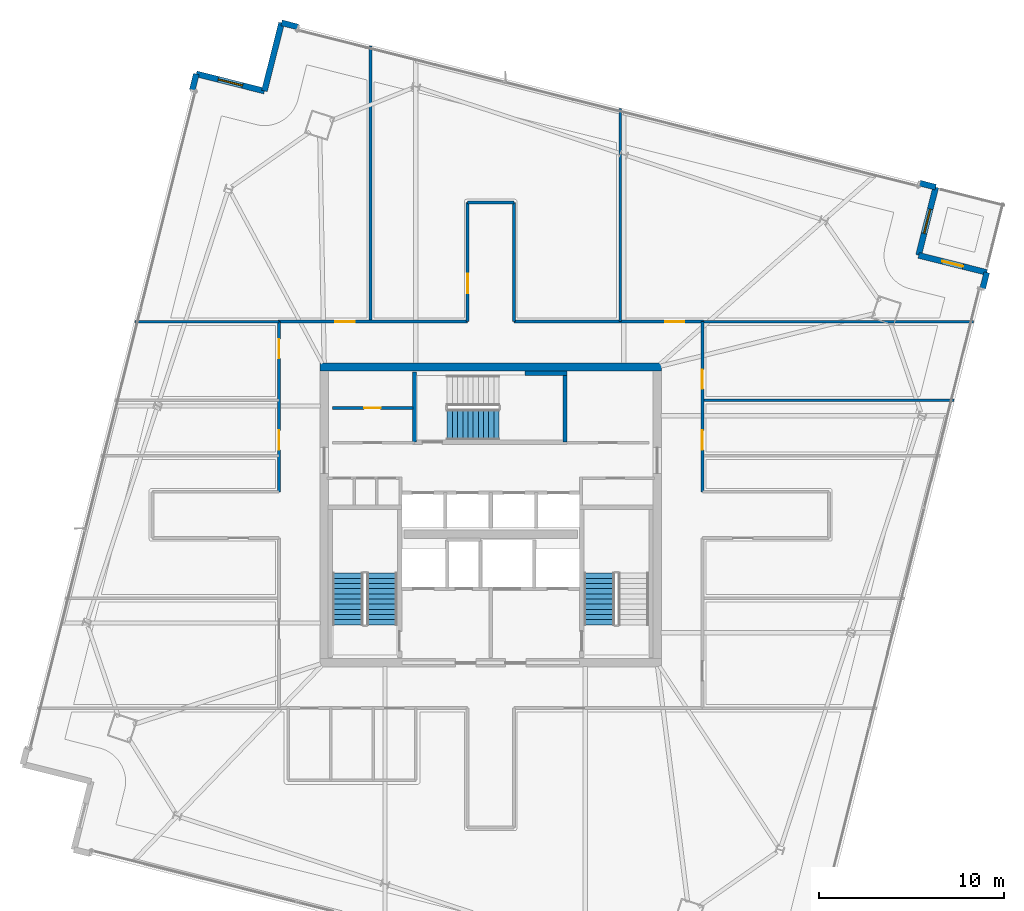
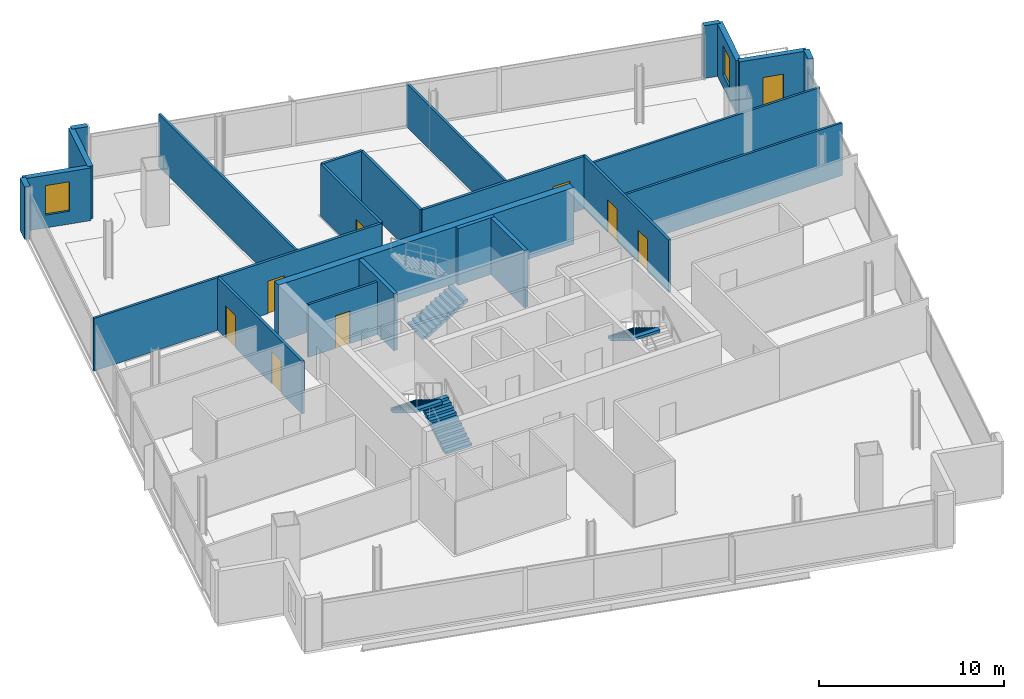
# One storey, part 22 of 28: 25 walls, 9 doors, 4 stair flights, 2 windows, 11 openings, 3 elements without a shape of their own.
"""IFC4 building model written with IfcOpenShell, lengths in metres."""

from ifc_helpers import new_model, si_unit, direction, frame, frame_2d, origin, place, context, subcontext, project, spatial, polyline, rectangle, outline, extrude, material, layer, layer_set, type_object, element, fill, aggregate, save


model = new_model("IFC4")

# Units and contexts
model_context = context("Model", 3, precision=1e-05, world=origin(), true_north=direction((0.0, 1.0)))
body_context = subcontext(model_context, "Body", "Model", "MODEL_VIEW")
ifc_project = project(units=[si_unit("LENGTHUNIT", "METRE"), si_unit("AREAUNIT", "SQUARE_METRE"), si_unit("VOLUMEUNIT", "CUBIC_METRE"), si_unit("PLANEANGLEUNIT", "RADIAN"), si_unit("MASSUNIT", "GRAM", prefix="KILO")], contexts=[model_context])

# Site, building, storey
site_placement = place(None, origin())
site = spatial("IfcSite", under=ifc_project, at=site_placement, CompositionType="ELEMENT")
building_placement = place(site_placement, origin())
building = spatial("IfcBuilding", under=site, at=building_placement, Name="Haldenkirk Collegiate Tower", CompositionType="ELEMENT")
storey_placement = place(building_placement, frame((0.0, 0.0, 282.449951171875)))
storey = spatial("IfcBuildingStorey", under=building, at=storey_placement, Name="L71", CompositionType="ELEMENT", Elevation=282.449951171875)

# Walls
ifc_material_1 = material(Name="Concrete f'c 55 MPa", Category="concrete")
ifc_layer_1 = layer(ifc_material_1, 0.449951171875)
ifc_layer_set_1 = layer_set([ifc_layer_1], Name="Concrete f'c 55 MPa")
wall_type_1 = type_object("IfcWallType", Name="WL-CORE-450", PredefinedType="SHEAR", material=ifc_layer_set_1)
wall_1_placement = place(storey_placement, frame((26.77490234375, 34.0, 0.0), z_axis=(0.0, 0.0, 1.0), x_axis=(1.0, 0.0, 0.0)))
element("IfcWall", 1, at=wall_1_placement, inside=storey, type_object=wall_type_1, Name="L71 central core shear wall N", PredefinedType="SHEAR", context=body_context, shape_type="SweptSolid", body=[
    extrude(rectangle(XDim=18.4501953125, YDim=0.449951171875, at=frame_2d((9.22509765625, 0.0))), origin(), (0.0, 0.0, 1.0), 3.75),
])
ifc_material_2 = material(Name="Precast concrete f'c 40 MPa", Category="concrete")
ifc_layer_2 = layer(ifc_material_2, 0.320068359375)
ifc_layer_set_2 = layer_set([ifc_layer_2], Name="Precast concrete f'c 40 MPa")
wall_type_2 = type_object("IfcWallType", Name="WL-EXT-TWR-320", PredefinedType="STANDARD", material=ifc_layer_set_2)
wall_2_placement = place(storey_placement, frame((62.826904296875, 39.109619140625, 0.0), z_axis=(0.0, 0.0, 1.0), x_axis=(-0.243556558418, -0.969886695883, 0.0)))
element("IfcWall", 2, at=wall_2_placement, inside=storey, type_object=wall_type_2, Name="L71 precast corner pier SL", PredefinedType="STANDARD", context=body_context, shape_type="SweptSolid", body=[
    extrude(rectangle(XDim=0.900146484375, YDim=0.320068359375, at=frame_2d((0.4501953125, 0.0))), origin(), (0.0, 0.0, 1.0), 3.47998046875),
])

# Wall, opening, door
wall_3_placement = place(storey_placement, frame((59.141357421875, 40.035400390625, 0.0), z_axis=(0.0, 0.0, 1.0), x_axis=(0.96986978547, -0.243623888878, 0.0)))
wall_3 = element("IfcWall", 3, at=wall_3_placement, inside=storey, type_object=wall_type_2, Name="L71 bronze precast notch wall 02", PredefinedType="STANDARD", context=body_context, shape_type="SweptSolid", body=[
    extrude(rectangle(XDim=3.800048828125, YDim=0.320068359375, at=frame_2d((1.89990234375, 0.0))), origin(), (0.0, 0.0, 1.0), 3.47998046875),
])
opening_1_placement = place(wall_3_placement, frame((1.324951171875, 0.0, 0.0)))
opening_1 = element("IfcOpeningElement", 4, at=opening_1_placement, cuts=wall_3, Name="Opening D-ST11", PredefinedType="OPENING", context=body_context, shape_type="SweptSolid", body=[
    extrude(rectangle(XDim=1.14990234375, YDim=2.199951171875, at=frame_2d((0.574951171875, 1.10009765625))), frame((0.0, 0.169921875, 0.0), z_axis=(0.0, -1.0, 0.0), x_axis=(1.0, 0.0, 0.0)), (0.0, 0.0, 1.0), 0.340087890625),
])
ifc_material_3 = material(Name="Anodised architectural bronze aluminium", Category="aluminium")
ifc_layer_3 = layer(ifc_material_3, 0.080078125)
ifc_layer_set_3 = layer_set([ifc_layer_3], Name="Anodised architectural bronze aluminium")
door_type_1 = type_object("IfcDoorType", Name="DR-EXT-STER-1150", OperationType="NOTDEFINED", PredefinedType="DOOR", material=ifc_layer_set_3)
door_1_placement = place(opening_1_placement, origin())
door_1 = element("IfcDoor", 5, at=door_1_placement, inside=storey, type_object=door_type_1, Name="L71 spiralling terrace door", OperationType="SINGLE_SWING_RIGHT", OverallHeight=2.199951171875, OverallWidth=1.14990234375, PredefinedType="DOOR", context=body_context, shape_type="SweptSolid", body=[
    extrude(rectangle(XDim=1.14990234375, YDim=2.199951171875, at=frame_2d((0.574951171875, 1.10009765625))), frame((0.0, 0.02490234375, 0.0), z_axis=(0.0, -1.0, 0.0), x_axis=(1.0, 0.0, 0.0)), (0.0, 0.0, 1.0), 0.050048828125),
])
fill(opening_1, door_1)

# Wall, opening, window
wall_4_placement = place(storey_placement, frame((60.067138671875, 43.720703125, 0.0), z_axis=(0.0, 0.0, 1.0), x_axis=(-0.243639070251, -0.969865971899, 0.0)))
wall_4 = element("IfcWall", 6, at=wall_4_placement, inside=storey, type_object=wall_type_2, Name="L71 bronze precast notch wall 03", PredefinedType="STANDARD", context=body_context, shape_type="SweptSolid", body=[
    extrude(rectangle(XDim=3.7998046875, YDim=0.320068359375, at=frame_2d((1.89990234375, 0.0))), origin(), (0.0, 0.0, 1.0), 3.47998046875),
])
opening_2_placement = place(wall_4_placement, frame((1.22509765625, 0.0, 0.85009765625)))
opening_2 = element("IfcOpeningElement", 7, at=opening_2_placement, cuts=wall_4, Name="Opening W-07", PredefinedType="OPENING", context=body_context, shape_type="SweptSolid", body=[
    extrude(rectangle(XDim=1.35009765625, YDim=1.949951171875, at=frame_2d((0.675048828125, 0.97509765625))), frame((0.0, 0.169921875, 0.0), z_axis=(0.0, -1.0, 0.0), x_axis=(1.0, 0.0, 0.0)), (0.0, 0.0, 1.0), 0.340087890625),
])
ifc_material_4 = material(Name="Low-E argon triple insulating glass", Category="glass")
ifc_layer_4 = layer(ifc_material_4, 0.090087890625)
ifc_layer_set_4 = layer_set([ifc_layer_4], Name="Low-E argon triple insulating glass")
window_type = type_object("IfcWindowType", Name="WN-Z5-1350X1950", PartitioningType="SINGLE_PANEL", PredefinedType="WINDOW", material=ifc_layer_set_4)
window_1_placement = place(opening_2_placement, origin())
window_1 = element("IfcWindow", 8, at=window_1_placement, inside=storey, type_object=window_type, Name="L71 precast-frame academic window 2", OverallHeight=1.949951171875, OverallWidth=1.35009765625, PartitioningType="SINGLE_PANEL", PredefinedType="WINDOW", context=body_context, shape_type="SweptSolid", body=[
    extrude(rectangle(XDim=1.35009765625, YDim=1.949951171875, at=frame_2d((0.675048828125, 0.97509765625))), frame((0.0, 0.030029296875, 0.0), z_axis=(0.0, -1.0, 0.0), x_axis=(1.0, 0.0, 0.0)), (0.0, 0.0, 1.0), 0.06005859375),
])
fill(opening_2, window_1)

# Walls
wall_5_placement = place(storey_placement, frame((24.691162109375, 52.606689453125, 0.0), z_axis=(0.0, 0.0, 1.0), x_axis=(0.9698064703, -0.243875808895, 0.0)))
element("IfcWall", 9, at=wall_5_placement, inside=storey, type_object=wall_type_2, Name="L71 precast corner pier EL", PredefinedType="STANDARD", context=body_context, shape_type="SweptSolid", body=[
    extrude(rectangle(XDim=0.89990234375, YDim=0.320068359375, at=frame_2d((0.449951171875, 0.0))), origin(), (0.0, 0.0, 1.0), 3.47998046875),
])
wall_6_placement = place(storey_placement, frame((59.194091796875, 43.940185546875, 0.0), z_axis=(0.0, 0.0, 1.0), x_axis=(0.9698225981, -0.243811665462, 0.0)))
element("IfcWall", 10, at=wall_6_placement, inside=storey, type_object=wall_type_2, Name="L71 precast corner pier ER", PredefinedType="STANDARD", context=body_context, shape_type="SweptSolid", body=[
    extrude(rectangle(XDim=0.900146484375, YDim=0.320068359375, at=frame_2d((0.4501953125, 0.0))), origin(), (0.0, 0.0, 1.0), 3.47998046875),
])
wall_7_placement = place(storey_placement, frame((23.765380859375, 48.921142578125, 0.0), z_axis=(0.0, 0.0, 1.0), x_axis=(0.243623888878, 0.96986978547, 0.0)))
element("IfcWall", 11, at=wall_7_placement, inside=storey, type_object=wall_type_2, Name="L71 bronze precast notch wall 05", PredefinedType="STANDARD", context=body_context, shape_type="SweptSolid", body=[
    extrude(rectangle(XDim=3.800048828125, YDim=0.320068359375, at=frame_2d((1.89990234375, 0.0))), origin(), (0.0, 0.0, 1.0), 3.47998046875),
])

# Wall, opening, window
wall_8_placement = place(storey_placement, frame((20.079833984375, 49.846923828125, 0.0), z_axis=(0.0, 0.0, 1.0), x_axis=(0.96986978547, -0.243623888878, 0.0)))
wall_8 = element("IfcWall", 12, at=wall_8_placement, inside=storey, type_object=wall_type_2, Name="L71 bronze precast notch wall 06", PredefinedType="STANDARD", context=body_context, shape_type="SweptSolid", body=[
    extrude(rectangle(XDim=3.800048828125, YDim=0.320068359375, at=frame_2d((1.89990234375, 0.0))), origin(), (0.0, 0.0, 1.0), 3.47998046875),
])
opening_3_placement = place(wall_8_placement, frame((1.22509765625, 0.0, 0.85009765625)))
opening_3 = element("IfcOpeningElement", 13, at=opening_3_placement, cuts=wall_8, Name="Opening W-07", PredefinedType="OPENING", context=body_context, shape_type="SweptSolid", body=[
    extrude(rectangle(XDim=1.35009765625, YDim=1.949951171875, at=frame_2d((0.675048828125, 0.97509765625))), frame((0.0, 0.169921875, 0.0), z_axis=(0.0, -1.0, 0.0), x_axis=(1.0, 0.0, 0.0)), (0.0, 0.0, 1.0), 0.340087890625),
])
window_2_placement = place(opening_3_placement, origin())
window_2 = element("IfcWindow", 14, at=window_2_placement, inside=storey, type_object=window_type, Name="L71 precast-frame academic window 5", OverallHeight=1.949951171875, OverallWidth=1.35009765625, PartitioningType="SINGLE_PANEL", PredefinedType="WINDOW", context=body_context, shape_type="SweptSolid", body=[
    extrude(rectangle(XDim=1.35009765625, YDim=1.949951171875, at=frame_2d((0.675048828125, 0.97509765625))), frame((0.0, 0.030029296875, 0.0), z_axis=(0.0, -1.0, 0.0), x_axis=(1.0, 0.0, 0.0)), (0.0, 0.0, 1.0), 0.06005859375),
])
fill(opening_3, window_2)

# Wall
wall_9_placement = place(storey_placement, frame((19.860595703125, 48.97412109375, 0.0), z_axis=(0.0, 0.0, 1.0), x_axis=(0.24362064321, 0.969870600751, 0.0)))
element("IfcWall", 15, at=wall_9_placement, inside=storey, type_object=wall_type_2, Name="L71 precast corner pier NR", PredefinedType="STANDARD", context=body_context, shape_type="SweptSolid", body=[
    extrude(rectangle(XDim=0.89990234375, YDim=0.320068359375, at=frame_2d((0.449951171875, 0.0))), origin(), (0.0, 0.0, 1.0), 3.47998046875),
])

# Wall, opening, door
ifc_material_5 = material(Name="Acoustic fire-rated gypsum partition", Category="concrete")
ifc_layer_5 = layer(ifc_material_5, 0.159912109375)
ifc_layer_set_5 = layer_set([ifc_layer_5], Name="Acoustic fire-rated gypsum partition")
wall_type_3 = type_object("IfcWallType", Name="WL-INT-CORR-160", PredefinedType="PARTITIONING", material=ifc_layer_set_5)
wall_10_placement = place(storey_placement, frame((24.5, 36.449951171875, 0.0), z_axis=(0.0, 0.0, 1.0), x_axis=(1.0, 0.0, 0.0)))
wall_10 = element("IfcWall", 16, at=wall_10_placement, inside=storey, type_object=wall_type_3, Name="L71 interior partition IW-L71-CN1", PredefinedType="PARTITIONING", context=body_context, shape_type="SweptSolid", body=[
    extrude(rectangle(XDim=10.25, YDim=0.159912109375, at=frame_2d((5.125, 0.0))), origin(), (0.0, 0.0, 1.0), 3.47998046875),
])
opening_4_placement = place(wall_10_placement, frame((3.10107421875, 0.0, 0.0)))
opening_4 = element("IfcOpeningElement", 17, at=opening_4_placement, cuts=wall_10, Name="Opening D-09", PredefinedType="OPENING", context=body_context, shape_type="SweptSolid", body=[
    extrude(rectangle(XDim=1.050048828125, YDim=2.14990234375, at=frame_2d((0.52490234375, 1.074951171875))), frame((0.0, 0.08984375, 0.0), z_axis=(0.0, -1.0, 0.0), x_axis=(1.0, 0.0, 0.0)), (0.0, 0.0, 1.0), 0.179931640625),
])
ifc_material_6 = material(Name="Solid-core architectural oak fire door", Category="wood")
ifc_layer_6 = layer(ifc_material_6, 0.06005859375)
ifc_layer_set_6 = layer_set([ifc_layer_6], Name="Solid-core architectural oak fire door")
door_type_2 = type_object("IfcDoorType", Name="DR-INT-FD60-1050", OperationType="NOTDEFINED", PredefinedType="DOOR", material=ifc_layer_set_6)
door_2_placement = place(opening_4_placement, origin())
door_2 = element("IfcDoor", 18, at=door_2_placement, inside=storey, type_object=door_type_2, Name="L71 Catering Tea Kitchen 2 door", OperationType="SINGLE_SWING_RIGHT", OverallHeight=2.14990234375, OverallWidth=1.050048828125, PredefinedType="DOOR", context=body_context, shape_type="SweptSolid", body=[
    extrude(rectangle(XDim=1.050048828125, YDim=2.14990234375, at=frame_2d((0.52490234375, 1.074951171875))), frame((0.0, 0.02490234375, 0.0), z_axis=(0.0, -1.0, 0.0), x_axis=(1.0, 0.0, 0.0)), (0.0, 0.0, 1.0), 0.050048828125),
])
fill(opening_4, door_2)

wall_11_placement = place(storey_placement, frame((37.25, 36.449951171875, 0.0), z_axis=(0.0, 0.0, 1.0), x_axis=(1.0, 0.0, 0.0)))
wall_11 = element("IfcWall", 19, at=wall_11_placement, inside=storey, type_object=wall_type_3, Name="L71 interior partition IW-L71-CN2", PredefinedType="PARTITIONING", context=body_context, shape_type="SweptSolid", body=[
    extrude(rectangle(XDim=10.25, YDim=0.159912109375, at=frame_2d((5.125, 0.0))), origin(), (0.0, 0.0, 1.0), 3.47998046875),
])
opening_5_placement = place(wall_11_placement, frame((8.178955078125, 0.0, 0.0)))
opening_5 = element("IfcOpeningElement", 20, at=opening_5_placement, cuts=wall_11, Name="Opening D-09", PredefinedType="OPENING", context=body_context, shape_type="SweptSolid", body=[
    extrude(rectangle(XDim=1.050048828125, YDim=2.14990234375, at=frame_2d((0.52490234375, 1.074951171875))), frame((0.0, 0.08984375, 0.0), z_axis=(0.0, -1.0, 0.0), x_axis=(1.0, 0.0, 0.0)), (0.0, 0.0, 1.0), 0.179931640625),
])
door_3_placement = place(opening_5_placement, origin())
door_3 = element("IfcDoor", 21, at=door_3_placement, inside=storey, type_object=door_type_2, Name="L71 Academic Tea Kitchen 4 door", OperationType="SINGLE_SWING_RIGHT", OverallHeight=2.14990234375, OverallWidth=1.050048828125, PredefinedType="DOOR", context=body_context, shape_type="SweptSolid", body=[
    extrude(rectangle(XDim=1.050048828125, YDim=2.14990234375, at=frame_2d((0.52490234375, 1.074951171875))), frame((0.0, 0.02490234375, 0.0), z_axis=(0.0, -1.0, 0.0), x_axis=(1.0, 0.0, 0.0)), (0.0, 0.0, 1.0), 0.050048828125),
])
fill(opening_5, door_3)

# Wall, openings, doors
wall_12_placement = place(storey_placement, frame((24.550048828125, 27.25, 0.0), z_axis=(0.0, 0.0, 1.0), x_axis=(0.0, 1.0, 0.0)))
wall_12 = element("IfcWall", 22, at=wall_12_placement, inside=storey, type_object=wall_type_3, Name="L71 interior partition IW-L71-CW2", PredefinedType="PARTITIONING", context=body_context, shape_type="SweptSolid", body=[
    extrude(rectangle(XDim=9.199951171875, YDim=0.159912109375, at=frame_2d((4.60009765625, 0.0))), origin(), (0.0, 0.0, 1.0), 3.47998046875),
])
opening_6_placement = place(wall_12_placement, frame((2.264892578125, 0.0, 0.0)))
opening_6 = element("IfcOpeningElement", 23, at=opening_6_placement, cuts=wall_12, Name="Opening D-09", PredefinedType="OPENING", context=body_context, shape_type="SweptSolid", body=[
    extrude(rectangle(XDim=1.050048828125, YDim=2.14990234375, at=frame_2d((0.52490234375, 1.074951171875))), frame((0.0, 0.08984375, 0.0), z_axis=(0.0, -1.0, 0.0), x_axis=(1.0, 0.0, 0.0)), (0.0, 0.0, 1.0), 0.179931640625),
])
opening_7_placement = place(wall_12_placement, frame((7.208984375, 0.0, 0.0)))
opening_7 = element("IfcOpeningElement", 24, at=opening_7_placement, cuts=wall_12, Name="Opening D-09", PredefinedType="OPENING", context=body_context, shape_type="SweptSolid", body=[
    extrude(rectangle(XDim=1.050048828125, YDim=2.14990234375, at=frame_2d((0.52490234375, 1.074951171875))), frame((0.0, 0.08984375, 0.0), z_axis=(0.0, -1.0, 0.0), x_axis=(1.0, 0.0, 0.0)), (0.0, 0.0, 1.0), 0.179931640625),
])
door_4_placement = place(opening_6_placement, origin())
door_4 = element("IfcDoor", 25, at=door_4_placement, inside=storey, type_object=door_type_2, Name="L71 Hospitality Tea Kitchen 7 door", OperationType="SINGLE_SWING_LEFT", OverallHeight=2.14990234375, OverallWidth=1.050048828125, PredefinedType="DOOR", context=body_context, shape_type="SweptSolid", body=[
    extrude(rectangle(XDim=1.050048828125, YDim=2.14990234375, at=frame_2d((0.52490234375, 1.074951171875))), frame((0.0, 0.02490234375, 0.0), z_axis=(0.0, -1.0, 0.0), x_axis=(1.0, 0.0, 0.0)), (0.0, 0.0, 1.0), 0.050048828125),
])
fill(opening_6, door_4)
door_5_placement = place(opening_7_placement, origin())
door_5 = element("IfcDoor", 26, at=door_5_placement, inside=storey, type_object=door_type_2, Name="L71 Catering Tea Kitchen 8 door", OperationType="SINGLE_SWING_RIGHT", OverallHeight=2.14990234375, OverallWidth=1.050048828125, PredefinedType="DOOR", context=body_context, shape_type="SweptSolid", body=[
    extrude(rectangle(XDim=1.050048828125, YDim=2.14990234375, at=frame_2d((0.52490234375, 1.074951171875))), frame((0.0, 0.02490234375, 0.0), z_axis=(0.0, -1.0, 0.0), x_axis=(1.0, 0.0, 0.0)), (0.0, 0.0, 1.0), 0.050048828125),
])
fill(opening_7, door_5)

wall_13_placement = place(storey_placement, frame((47.449951171875, 27.25, 0.0), z_axis=(0.0, 0.0, 1.0), x_axis=(0.0, 1.0, 0.0)))
wall_13 = element("IfcWall", 27, at=wall_13_placement, inside=storey, type_object=wall_type_3, Name="L71 interior partition IW-L71-CE2", PredefinedType="PARTITIONING", context=body_context, shape_type="SweptSolid", body=[
    extrude(rectangle(XDim=9.199951171875, YDim=0.159912109375, at=frame_2d((4.60009765625, 0.0))), origin(), (0.0, 0.0, 1.0), 3.47998046875),
])
opening_8_placement = place(wall_13_placement, frame((2.264892578125, 0.0, 0.0)))
opening_8 = element("IfcOpeningElement", 28, at=opening_8_placement, cuts=wall_13, Name="Opening D-09", PredefinedType="OPENING", context=body_context, shape_type="SweptSolid", body=[
    extrude(rectangle(XDim=1.050048828125, YDim=2.14990234375, at=frame_2d((0.52490234375, 1.074951171875))), frame((0.0, 0.08984375, 0.0), z_axis=(0.0, -1.0, 0.0), x_axis=(1.0, 0.0, 0.0)), (0.0, 0.0, 1.0), 0.179931640625),
])
opening_9_placement = place(wall_13_placement, frame((5.55908203125, 0.0, 0.0)))
opening_9 = element("IfcOpeningElement", 29, at=opening_9_placement, cuts=wall_13, Name="Opening D-09", PredefinedType="OPENING", context=body_context, shape_type="SweptSolid", body=[
    extrude(rectangle(XDim=1.050048828125, YDim=2.14990234375, at=frame_2d((0.52490234375, 1.074951171875))), frame((0.0, 0.08984375, 0.0), z_axis=(0.0, -1.0, 0.0), x_axis=(1.0, 0.0, 0.0)), (0.0, 0.0, 1.0), 0.179931640625),
])
door_6_placement = place(opening_8_placement, origin())
door_6 = element("IfcDoor", 30, at=door_6_placement, inside=storey, type_object=door_type_2, Name="L71 Wet Science Laboratory 11 door", OperationType="SINGLE_SWING_LEFT", OverallHeight=2.14990234375, OverallWidth=1.050048828125, PredefinedType="DOOR", context=body_context, shape_type="SweptSolid", body=[
    extrude(rectangle(XDim=1.050048828125, YDim=2.14990234375, at=frame_2d((0.52490234375, 1.074951171875))), frame((0.0, 0.02490234375, 0.0), z_axis=(0.0, -1.0, 0.0), x_axis=(1.0, 0.0, 0.0)), (0.0, 0.0, 1.0), 0.050048828125),
])
fill(opening_8, door_6)
door_7_placement = place(opening_9_placement, origin())
door_7 = element("IfcDoor", 31, at=door_7_placement, inside=storey, type_object=door_type_2, Name="L71 Model Shop Laboratory 12 door", OperationType="SINGLE_SWING_RIGHT", OverallHeight=2.14990234375, OverallWidth=1.050048828125, PredefinedType="DOOR", context=body_context, shape_type="SweptSolid", body=[
    extrude(rectangle(XDim=1.050048828125, YDim=2.14990234375, at=frame_2d((0.52490234375, 1.074951171875))), frame((0.0, 0.02490234375, 0.0), z_axis=(0.0, -1.0, 0.0), x_axis=(1.0, 0.0, 0.0)), (0.0, 0.0, 1.0), 0.050048828125),
])
fill(opening_9, door_7)

# Wall, opening, door
wall_14_placement = place(storey_placement, frame((34.75, 36.449951171875, 0.0), z_axis=(0.0, 0.0, 1.0), x_axis=(0.0, 1.0, 0.0)))
wall_14 = element("IfcWall", 32, at=wall_14_placement, inside=storey, type_object=wall_type_3, Name="L71 interior partition IW-L71-NPW", PredefinedType="PARTITIONING", context=body_context, shape_type="SweptSolid", body=[
    extrude(rectangle(XDim=6.449951171875, YDim=0.159912109375, at=frame_2d((3.22509765625, 0.0))), origin(), (0.0, 0.0, 1.0), 3.47998046875),
])
opening_10_placement = place(wall_14_placement, frame((1.5390625, 0.0, 0.0)))
opening_10 = element("IfcOpeningElement", 33, at=opening_10_placement, cuts=wall_14, Name="Opening D-09", PredefinedType="OPENING", context=body_context, shape_type="SweptSolid", body=[
    extrude(rectangle(XDim=1.050048828125, YDim=2.14990234375, at=frame_2d((0.52490234375, 1.074951171875))), frame((0.0, 0.08984375, 0.0), z_axis=(0.0, -1.0, 0.0), x_axis=(1.0, 0.0, 0.0)), (0.0, 0.0, 1.0), 0.179931640625),
])
door_8_placement = place(opening_10_placement, origin())
door_8 = element("IfcDoor", 34, at=door_8_placement, inside=storey, type_object=door_type_2, Name="L71 Faculty Tea Kitchen 3 door", OperationType="SINGLE_SWING_LEFT", OverallHeight=2.14990234375, OverallWidth=1.050048828125, PredefinedType="DOOR", context=body_context, shape_type="SweptSolid", body=[
    extrude(rectangle(XDim=1.050048828125, YDim=2.14990234375, at=frame_2d((0.52490234375, 1.074951171875))), frame((0.0, 0.02490234375, 0.0), z_axis=(0.0, -1.0, 0.0), x_axis=(1.0, 0.0, 0.0)), (0.0, 0.0, 1.0), 0.050048828125),
])
fill(opening_10, door_8)

# Walls
wall_15_placement = place(storey_placement, frame((37.25, 36.449951171875, 0.0), z_axis=(0.0, 0.0, 1.0), x_axis=(0.0, 1.0, 0.0)))
element("IfcWall", 35, at=wall_15_placement, inside=storey, type_object=wall_type_3, Name="L71 interior partition IW-L71-NPE", PredefinedType="PARTITIONING", context=body_context, shape_type="SweptSolid", body=[
    extrude(rectangle(XDim=6.449951171875, YDim=0.159912109375, at=frame_2d((3.22509765625, 0.0))), origin(), (0.0, 0.0, 1.0), 3.47998046875),
])
wall_16_placement = place(storey_placement, frame((34.75, 42.89990234375, 0.0), z_axis=(0.0, 0.0, 1.0), x_axis=(1.0, 0.0, 0.0)))
element("IfcWall", 36, at=wall_16_placement, inside=storey, type_object=wall_type_3, Name="L71 interior partition IW-L71-NPN", PredefinedType="PARTITIONING", context=body_context, shape_type="SweptSolid", body=[
    extrude(rectangle(XDim=2.5, YDim=0.159912109375, at=frame_2d((1.25, 0.0))), origin(), (0.0, 0.0, 1.0), 3.47998046875),
])

# Wall, opening, door
ifc_layer_7 = layer(ifc_material_5, 0.139892578125)
ifc_layer_set_7 = layer_set([ifc_layer_7], Name="Acoustic fire-rated gypsum partition")
wall_type_4 = type_object("IfcWallType", Name="WL-INT-DIV-140", PredefinedType="PARTITIONING", material=ifc_layer_set_7)
wall_17_placement = place(storey_placement, frame((27.449951171875, 31.780029296875, 0.0), z_axis=(0.0, 0.0, 1.0), x_axis=(1.0, 0.0, 0.0)))
wall_17 = element("IfcWall", 37, at=wall_17_placement, inside=storey, type_object=wall_type_4, Name="L71 interior partition IW-L71-PLDIVH", PredefinedType="PARTITIONING", context=body_context, shape_type="SweptSolid", body=[
    extrude(rectangle(XDim=4.35009765625, YDim=0.139892578125, at=frame_2d((2.175048828125, 0.0))), origin(), (0.0, 0.0, 1.0), 3.47998046875),
])
opening_11_placement = place(wall_17_placement, frame((1.699951171875, 0.0, 0.0)))
opening_11 = element("IfcOpeningElement", 38, at=opening_11_placement, cuts=wall_17, Name="Opening D-13", PredefinedType="OPENING", context=body_context, shape_type="SweptSolid", body=[
    extrude(rectangle(XDim=0.89990234375, YDim=2.14990234375, at=frame_2d((0.449951171875, 1.074951171875))), frame((0.0, 0.079833984375, 0.0), z_axis=(0.0, -1.0, 0.0), x_axis=(1.0, 0.0, 0.0)), (0.0, 0.0, 1.0), 0.159912109375),
])
ifc_layer_8 = layer(ifc_material_6, 0.06005859375)
ifc_layer_set_8 = layer_set([ifc_layer_8], Name="Solid-core architectural oak fire door")
door_type_3 = type_object("IfcDoorType", Name="DR-INT-STD-900", OperationType="NOTDEFINED", PredefinedType="DOOR", material=ifc_layer_set_8)
door_9_placement = place(opening_11_placement, origin())
door_9 = element("IfcDoor", 39, at=door_9_placement, inside=storey, type_object=door_type_3, Name="L71 folio vault door", OperationType="SINGLE_SWING_RIGHT", OverallHeight=2.14990234375, OverallWidth=0.89990234375, PredefinedType="DOOR", context=body_context, shape_type="SweptSolid", body=[
    extrude(rectangle(XDim=0.89990234375, YDim=2.14990234375, at=frame_2d((0.449951171875, 1.074951171875))), frame((0.0, 0.02490234375, 0.0), z_axis=(0.0, -1.0, 0.0), x_axis=(1.0, 0.0, 0.0)), (0.0, 0.0, 1.0), 0.050048828125),
])
fill(opening_11, door_9)

# Walls
wall_18_placement = place(storey_placement, frame((16.756103515625, 36.449951171875, 0.0), z_axis=(0.0, 0.0, 1.0), x_axis=(1.0, 0.0, 0.0)))
element("IfcWall", 40, at=wall_18_placement, inside=storey, type_object=wall_type_4, Name="L71 interior partition IW-L71-BWN", PredefinedType="PARTITIONING", context=body_context, shape_type="SweptSolid", body=[
    extrude(rectangle(XDim=7.7939453125, YDim=0.139892578125, at=frame_2d((3.89697265625, 0.0))), origin(), (0.0, 0.0, 1.0), 3.47998046875),
])
wall_19_placement = place(storey_placement, frame((47.449951171875, 36.449951171875, 0.0), z_axis=(0.0, 0.0, 1.0), x_axis=(1.0, 0.0, 0.0)))
element("IfcWall", 41, at=wall_19_placement, inside=storey, type_object=wall_type_4, Name="L71 interior partition IW-L71-BEN", PredefinedType="PARTITIONING", context=body_context, shape_type="SweptSolid", body=[
    extrude(rectangle(XDim=14.667724609375, YDim=0.139892578125, at=frame_2d((7.333984375, 0.0))), origin(), (0.0, 0.0, 1.0), 2.858154296875),
])
wall_20_placement = place(storey_placement, frame((29.5, 36.449951171875, 0.0), z_axis=(0.0, 0.0, 1.0), x_axis=(0.0, 1.0, 0.0)))
element("IfcWall", 42, at=wall_20_placement, inside=storey, type_object=wall_type_4, Name="L71 interior partition IW-L71-RN1", PredefinedType="PARTITIONING", context=body_context, shape_type="SweptSolid", body=[
    extrude(rectangle(XDim=14.907470703125, YDim=0.139892578125, at=frame_2d((7.45361328125, 0.0))), origin(), (0.0, 0.0, 1.0), 3.47998046875),
])
wall_21_placement = place(storey_placement, frame((43.0, 36.449951171875, 0.0), z_axis=(0.0, 0.0, 1.0), x_axis=(0.0, 1.0, 0.0)))
element("IfcWall", 43, at=wall_21_placement, inside=storey, type_object=wall_type_4, Name="L71 interior partition IW-L71-RN2", PredefinedType="PARTITIONING", context=body_context, shape_type="SweptSolid", body=[
    extrude(rectangle(XDim=11.5166015625, YDim=0.139892578125, at=frame_2d((5.75830078125, 0.0))), origin(), (0.0, 0.0, 1.0), 2.858154296875),
])
wall_22_placement = place(storey_placement, frame((47.449951171875, 32.199951171875, 0.0), z_axis=(0.0, 0.0, 1.0), x_axis=(1.0, 0.0, 0.0)))
element("IfcWall", 44, at=wall_22_placement, inside=storey, type_object=wall_type_4, Name="L71 interior partition IW-L71-RE3", PredefinedType="PARTITIONING", context=body_context, shape_type="SweptSolid", body=[
    extrude(rectangle(XDim=13.60009765625, YDim=0.139892578125, at=frame_2d((6.800048828125, 0.0))), origin(), (0.0, 0.0, 1.0), 3.47998046875),
])
ifc_layer_9 = layer(ifc_material_1, 0.239990234375)
ifc_layer_set_9 = layer_set([ifc_layer_9], Name="Concrete f'c 55 MPa")
wall_type_5 = type_object("IfcWallType", Name="WL-SHAFT-240", PredefinedType="SHEAR", material=ifc_layer_set_9)
wall_23_placement = place(storey_placement, frame((31.8798828125, 29.929931640625, 0.0), z_axis=(0.0, 0.0, 1.0), x_axis=(0.0, 1.0, 0.0)))
element("IfcWall", 45, at=wall_23_placement, inside=storey, type_object=wall_type_5, Name="L71 stair shaft shear wall SW-L71-ST3W", PredefinedType="SHEAR", context=body_context, shape_type="SweptSolid", body=[
    extrude(rectangle(XDim=3.7900390625, YDim=0.239990234375, at=frame_2d((1.89501953125, 0.0))), origin(), (0.0, 0.0, 1.0), 3.75),
])
wall_24_placement = place(storey_placement, frame((40.02001953125, 29.929931640625, 0.0), z_axis=(0.0, 0.0, 1.0), x_axis=(0.0, 1.0, 0.0)))
element("IfcWall", 46, at=wall_24_placement, inside=storey, type_object=wall_type_5, Name="L71 stair shaft shear wall SW-L71-ST3E", PredefinedType="SHEAR", context=body_context, shape_type="SweptSolid", body=[
    extrude(rectangle(XDim=3.85009765625, YDim=0.239990234375, at=frame_2d((1.925048828125, 0.0))), origin(), (0.0, 0.0, 1.0), 3.75),
])
wall_25_placement = place(storey_placement, frame((37.85009765625, 33.659912109375, 0.0), z_axis=(0.0, 0.0, 1.0), x_axis=(1.0, 0.0, 0.0)))
element("IfcWall", 47, at=wall_25_placement, inside=storey, type_object=wall_type_5, Name="L71 stair shaft shear wall SW-L71-ST3N", PredefinedType="SHEAR", context=body_context, shape_type="SweptSolid", body=[
    extrude(rectangle(XDim=2.289794921875, YDim=0.239990234375, at=frame_2d((1.14501953125, 0.0))), origin(), (0.0, 0.0, 1.0), 3.75),
])

# Stair, stair flights
ifc_material_7 = material(Name="Concrete f'c 40 MPa", Category="concrete")
stair_type = type_object("IfcStairType", Name="STR-DOGLEG-1650", PredefinedType="HALF_TURN_STAIR", material=ifc_material_7)
stair_1_placement = place(storey_placement, origin())
stair_1 = element("IfcStair", 48, at=stair_1_placement, inside=storey, type_object=stair_type, Name="L71 Core Exit Stair ST-1", PredefinedType="HALF_TURN_STAIR")
stair_flight_type = type_object("IfcStairFlightType", Name="STF-FLIGHT-1650", PredefinedType="STRAIGHT", material=ifc_material_7)
stair_flight_1_placement = place(storey_placement, frame((30.125, 20.050048828125, 0.0), z_axis=(0.0, 0.0, 1.0), x_axis=(0.0, 1.0, 0.0)))
stair_flight_1 = element("IfcStairFlight", 49, at=stair_flight_1_placement, type_object=stair_flight_type, Name="ST-1 flight 1", NumberOfRisers=11, NumberOfTreads=10, PredefinedType="STRAIGHT", RiserHeight=0.170454545, TreadLength=0.28, context=body_context, shape_type="SweptSolid", body=[
    extrude(outline(polyline([(0.0, 0.0), (0.0, 0.17041015625), (0.280029296875, 0.17041015625), (0.280029296875, 0.3408203125), (0.56005859375, 0.3408203125), (0.56005859375, 0.511474609375), (0.840087890625, 0.511474609375), (0.840087890625, 0.681884765625), (1.1201171875, 0.681884765625), (1.1201171875, 0.852294921875), (1.39990234375, 0.852294921875), (1.39990234375, 1.022705078125), (1.679931640625, 1.022705078125), (1.679931640625, 1.193115234375), (1.9599609375, 1.193115234375), (1.9599609375, 1.363525390625), (2.239990234375, 1.363525390625), (2.239990234375, 1.5341796875), (2.52001953125, 1.5341796875), (2.52001953125, 1.70458984375), (2.800048828125, 1.70458984375), (2.800048828125, 1.875), (2.800048828125, 1.529052734375), (0.288330078125, 0.0), (0.0, 0.0)])), frame((0.0, 0.824951171875, 0.0), z_axis=(0.0, -1.0, 0.0), x_axis=(1.0, 0.0, 0.0)), (0.0, 0.0, 1.0), 1.64990234375),
])
stair_flight_2_placement = place(storey_placement, frame((28.27490234375, 22.85009765625, 1.875), z_axis=(0.0, 0.0, 1.0), x_axis=(0.0, -1.0, 0.0)))
stair_flight_2 = element("IfcStairFlight", 50, at=stair_flight_2_placement, type_object=stair_flight_type, Name="ST-1 flight 2", NumberOfRisers=11, NumberOfTreads=10, PredefinedType="STRAIGHT", RiserHeight=0.170454545, TreadLength=0.28, context=body_context, shape_type="SweptSolid", body=[
    extrude(outline(polyline([(0.0, 0.0), (0.0, 0.17041015625), (0.280029296875, 0.17041015625), (0.280029296875, 0.3408203125), (0.56005859375, 0.3408203125), (0.56005859375, 0.511474609375), (0.840087890625, 0.511474609375), (0.840087890625, 0.681884765625), (1.1201171875, 0.681884765625), (1.1201171875, 0.852294921875), (1.39990234375, 0.852294921875), (1.39990234375, 1.022705078125), (1.679931640625, 1.022705078125), (1.679931640625, 1.193115234375), (1.9599609375, 1.193115234375), (1.9599609375, 1.363525390625), (2.239990234375, 1.363525390625), (2.239990234375, 1.5341796875), (2.52001953125, 1.5341796875), (2.52001953125, 1.70458984375), (2.800048828125, 1.70458984375), (2.800048828125, 1.875), (2.800048828125, 1.529052734375), (0.288330078125, 0.0), (0.0, 0.0)])), frame((0.0, 0.824951171875, 0.0), z_axis=(0.0, -1.0, 0.0), x_axis=(1.0, 0.0, 0.0)), (0.0, 0.0, 1.0), 1.64990234375),
])
aggregate(stair_1, [stair_flight_1, stair_flight_2])

# Stair, stair flight
stair_2_placement = place(storey_placement, origin())
stair_2 = element("IfcStair", 51, at=stair_2_placement, inside=storey, type_object=stair_type, Name="L71 Core Exit Stair ST-2", PredefinedType="HALF_TURN_STAIR")
stair_flight_3_placement = place(storey_placement, frame((41.875, 22.85009765625, 1.875), z_axis=(0.0, 0.0, 1.0), x_axis=(0.0, -1.0, 0.0)))
stair_flight_3 = element("IfcStairFlight", 52, at=stair_flight_3_placement, type_object=stair_flight_type, Name="ST-2 flight 2", NumberOfRisers=11, NumberOfTreads=10, PredefinedType="STRAIGHT", RiserHeight=0.170454545, TreadLength=0.28, context=body_context, shape_type="SweptSolid", body=[
    extrude(outline(polyline([(0.0, 0.0), (0.0, 0.17041015625), (0.280029296875, 0.17041015625), (0.280029296875, 0.3408203125), (0.56005859375, 0.3408203125), (0.56005859375, 0.511474609375), (0.840087890625, 0.511474609375), (0.840087890625, 0.681884765625), (1.1201171875, 0.681884765625), (1.1201171875, 0.852294921875), (1.39990234375, 0.852294921875), (1.39990234375, 1.022705078125), (1.679931640625, 1.022705078125), (1.679931640625, 1.193115234375), (1.9599609375, 1.193115234375), (1.9599609375, 1.363525390625), (2.239990234375, 1.363525390625), (2.239990234375, 1.5341796875), (2.52001953125, 1.5341796875), (2.52001953125, 1.70458984375), (2.800048828125, 1.70458984375), (2.800048828125, 1.875), (2.800048828125, 1.529052734375), (0.288330078125, 0.0), (0.0, 0.0)])), frame((0.0, 0.824951171875, 0.0), z_axis=(0.0, -1.0, 0.0), x_axis=(1.0, 0.0, 0.0)), (0.0, 0.0, 1.0), 1.64990234375),
])
aggregate(stair_2, [stair_flight_3])

stair_3_placement = place(storey_placement, origin())
stair_3 = element("IfcStair", 53, at=stair_3_placement, inside=storey, type_object=stair_type, Name="L71 Core Exit Stair ST-3", PredefinedType="HALF_TURN_STAIR")
stair_flight_4_placement = place(storey_placement, frame((33.64990234375, 30.875, 0.0), z_axis=(0.0, 0.0, 1.0), x_axis=(1.0, 0.0, 0.0)))
stair_flight_4 = element("IfcStairFlight", 54, at=stair_flight_4_placement, type_object=stair_flight_type, Name="ST-3 flight 1", NumberOfRisers=11, NumberOfTreads=10, PredefinedType="STRAIGHT", RiserHeight=0.170454545, TreadLength=0.28, context=body_context, shape_type="SweptSolid", body=[
    extrude(outline(polyline([(0.0, 0.0), (0.0, 0.17041015625), (0.280029296875, 0.17041015625), (0.280029296875, 0.3408203125), (0.56005859375, 0.3408203125), (0.56005859375, 0.511474609375), (0.840087890625, 0.511474609375), (0.840087890625, 0.681884765625), (1.1201171875, 0.681884765625), (1.1201171875, 0.852294921875), (1.39990234375, 0.852294921875), (1.39990234375, 1.022705078125), (1.679931640625, 1.022705078125), (1.679931640625, 1.193115234375), (1.9599609375, 1.193115234375), (1.9599609375, 1.363525390625), (2.239990234375, 1.363525390625), (2.239990234375, 1.5341796875), (2.52001953125, 1.5341796875), (2.52001953125, 1.70458984375), (2.800048828125, 1.70458984375), (2.800048828125, 1.875), (2.800048828125, 1.529052734375), (0.288330078125, 0.0), (0.0, 0.0)])), frame((0.0, 0.824951171875, 0.0), z_axis=(0.0, -1.0, 0.0), x_axis=(1.0, 0.0, 0.0)), (0.0, 0.0, 1.0), 1.64990234375),
])
aggregate(stair_3, [stair_flight_4])

save(model, "model.ifc")
